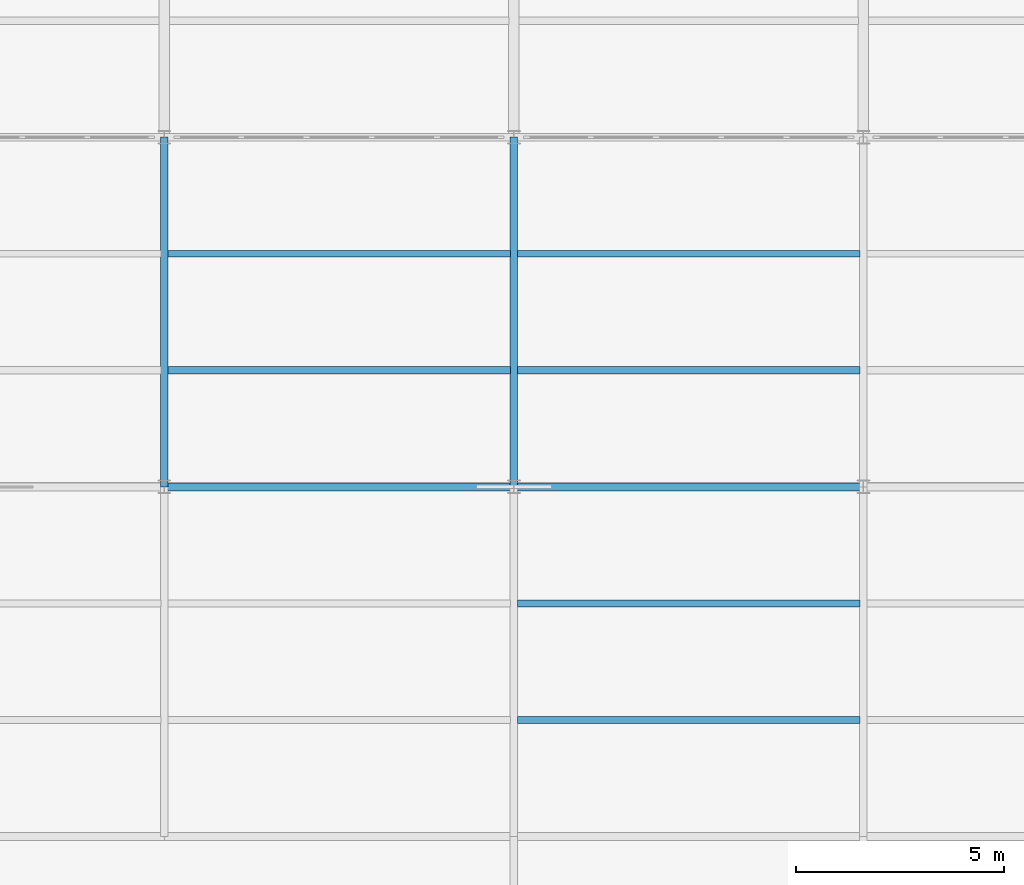
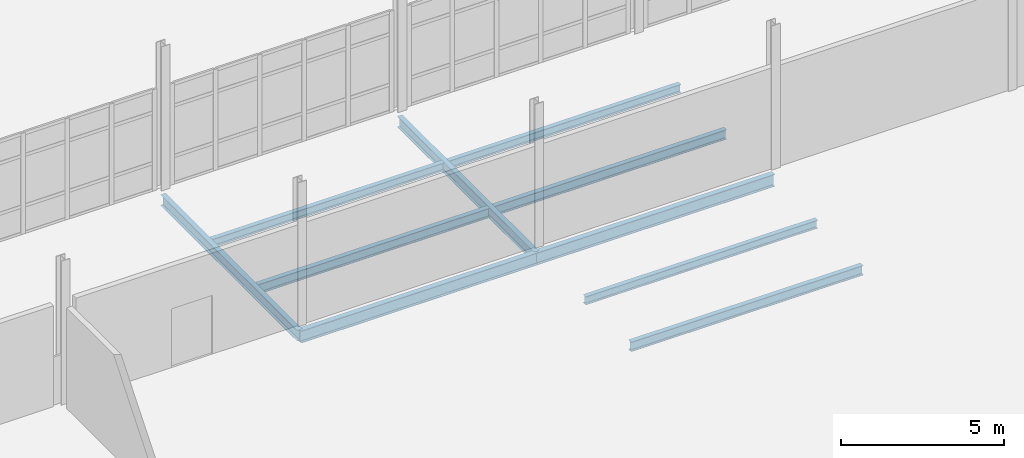
# One storey, part 17 of 33: 10 beams.
"""IFC4 building model written with IfcOpenShell, lengths in metres."""

from ifc_helpers import new_model, si_unit, direction, frame, origin, origin_2d, place, context, subcontext, project, spatial, i_section, extrude, material, material_profile, profile_set, type_object, element, save


model = new_model("IFC4")

# Units and contexts
model_context = context("Model", 3, precision=1e-05, world=origin(), true_north=direction((0.0, 1.0)))
body_context = subcontext(model_context, "Body", "Model", "MODEL_VIEW")
ifc_project = project(units=[si_unit("LENGTHUNIT", "METRE"), si_unit("AREAUNIT", "SQUARE_METRE"), si_unit("VOLUMEUNIT", "CUBIC_METRE"), si_unit("PLANEANGLEUNIT", "RADIAN"), si_unit("MASSUNIT", "GRAM", prefix="KILO"), si_unit("THERMODYNAMICTEMPERATUREUNIT", "KELVIN"), si_unit("POWERUNIT", "WATT")], contexts=[model_context])

# Site, building, storey
site_placement = place(None, origin())
site = spatial("IfcSite", under=ifc_project, at=site_placement, CompositionType="ELEMENT")
building_placement = place(site_placement, origin())
building = spatial("IfcBuilding", under=site, at=building_placement, Name="Tembeka Court Mobility Hub", CompositionType="ELEMENT")
storey_placement = place(building_placement, frame((0.0, 0.0, 23.39990234375)))
storey = spatial("IfcBuildingStorey", under=building, at=storey_placement, Name="L06", CompositionType="ELEMENT", Elevation=23.39990234375)

# Beams
ifc_material = material(Name="Steel S355", Category="steel")
ifc_material_profile_1 = material_profile(ifc_material, i_section(OverallWidth=0.18994140625, OverallDepth=0.45703125, WebThickness=0.009033203125, FlangeThickness=0.014404296875, FilletRadius=0.01025390625, at=origin_2d()), Name="UKB 457x191x74")
ifc_profile_set_1 = profile_set([ifc_material_profile_1], Name="Steel S355")
beam_type_1 = type_object("IfcBeamType", Name="BM-B01", PredefinedType="BEAM", material=ifc_profile_set_1)
beam_1_placement = place(storey_placement, frame((50.39990234375, 72.0, -0.478515625), z_axis=(1.0, 0.0, 0.0), x_axis=(0.0, 1.0, 0.0)))
element("IfcBeam", 1, at=beam_1_placement, inside=storey, type_object=beam_type_1, Name="Beam B01 (BM-L06-X3158)", PredefinedType="BEAM", context=body_context, shape_type="SweptSolid", body=[
    extrude(i_section(OverallWidth=0.18994140625, OverallDepth=0.45703125, WebThickness=0.009033203125, FlangeThickness=0.014404296875, FilletRadius=0.01025390625, at=origin_2d()), origin(), (0.0, 0.0, 1.0), 8.400146484375),
])
beam_2_placement = place(storey_placement, frame((58.800048828125, 72.0, -0.478515625), z_axis=(1.0, 0.0, 0.0), x_axis=(0.0, 1.0, 0.0)))
element("IfcBeam", 2, at=beam_2_placement, inside=storey, type_object=beam_type_1, Name="Beam B01 (BM-L06-X3159)", PredefinedType="BEAM", context=body_context, shape_type="SweptSolid", body=[
    extrude(i_section(OverallWidth=0.18994140625, OverallDepth=0.45703125, WebThickness=0.009033203125, FlangeThickness=0.014404296875, FilletRadius=0.01025390625, at=origin_2d()), origin(), (0.0, 0.0, 1.0), 8.39990234375),
])
ifc_material_profile_2 = material_profile(ifc_material, i_section(OverallWidth=0.177978515625, OverallDepth=0.406005859375, WebThickness=0.0078125, FlangeThickness=0.0126953125, FilletRadius=0.01025390625, at=origin_2d()), Name="UKB 406x178x60")
ifc_profile_set_2 = profile_set([ifc_material_profile_2], Name="Steel S355")
beam_type_2 = type_object("IfcBeamType", Name="BM-B02", PredefinedType="BEAM", material=ifc_profile_set_2)
for number, where, z_axis, x_axis, name in (
    (3, (50.39990234375, 72.0, -0.452880859375), (0.0, 1.0, 0.0), (-1.0, 0.0, 0.0), "Beam B02 (BM-L06-Y3252)"),
    (4, (58.800048828125, 72.0, -0.452880859375), (0.0, 1.0, 0.0), (-1.0, 0.0, 0.0), "Beam B02 (BM-L06-Y3259)"),
):
    element("IfcBeam", number, at=place(storey_placement, frame(where, z_axis=z_axis, x_axis=x_axis)), inside=storey, type_object=beam_type_2, Name=name, PredefinedType="BEAM", context=body_context, shape_type="SweptSolid", body=[
        extrude(i_section(OverallWidth=0.177978515625, OverallDepth=0.406005859375, WebThickness=0.0078125, FlangeThickness=0.0126953125, FilletRadius=0.01025390625, at=origin_2d()), origin(), (0.0, 0.0, 1.0), 8.39990234375),
    ])
ifc_material_profile_3 = material_profile(ifc_material, i_section(OverallWidth=0.1650390625, OverallDepth=0.303955078125, WebThickness=0.006103515625, FlangeThickness=0.01025390625, FilletRadius=0.0087890625, at=origin_2d()), Name="UKB 305x165x40")
ifc_profile_set_3 = profile_set([ifc_material_profile_3], Name="Steel S355")
beam_type_3 = type_object("IfcBeamType", Name="BM-J02", PredefinedType="JOIST", material=ifc_profile_set_3)
beam_3_placement = place(storey_placement, frame((50.48388671875, 77.60009765625, -0.40185546875), z_axis=(1.0, 0.0, 0.0), x_axis=(0.0, 1.0, 0.0)))
element("IfcBeam", 5, at=beam_3_placement, inside=storey, type_object=beam_type_3, Name="Beam J02 (JST-L06-3415)", PredefinedType="JOIST", context=body_context, shape_type="SweptSolid", body=[
    extrude(i_section(OverallWidth=0.1650390625, OverallDepth=0.303955078125, WebThickness=0.006103515625, FlangeThickness=0.01025390625, FilletRadius=0.0087890625, at=origin_2d()), origin(), (0.0, 0.0, 1.0), 8.232177734375),
])
for number, where, z_axis, x_axis, name in (
    (6, (58.884033203125, 69.199951171875, -0.40185546875), (1.0, 0.0, 0.0), (0.0, 1.0, 0.0), "Beam J02 (JST-L06-3433)"),
    (7, (58.884033203125, 77.60009765625, -0.40185546875), (1.0, 0.0, 0.0), (0.0, 1.0, 0.0), "Beam J02 (JST-L06-3435)"),
):
    element("IfcBeam", number, at=place(storey_placement, frame(where, z_axis=z_axis, x_axis=x_axis)), inside=storey, type_object=beam_type_3, Name=name, PredefinedType="JOIST", context=body_context, shape_type="SweptSolid", body=[
        extrude(i_section(OverallWidth=0.1650390625, OverallDepth=0.303955078125, WebThickness=0.006103515625, FlangeThickness=0.01025390625, FilletRadius=0.0087890625, at=origin_2d()), origin(), (0.0, 0.0, 1.0), 8.23193359375),
    ])
ifc_material_profile_4 = material_profile(ifc_material, i_section(OverallWidth=0.169921875, OverallDepth=0.360107421875, WebThickness=0.008056640625, FlangeThickness=0.0126953125, FilletRadius=0.01806640625, at=origin_2d()), Name="IPE 360")
ifc_profile_set_4 = profile_set([ifc_material_profile_4], Name="Steel S355")
beam_type_4 = type_object("IfcBeamType", Name="BM-J03", PredefinedType="JOIST", material=ifc_profile_set_4)
beam_4_placement = place(storey_placement, frame((50.48388671875, 74.800048828125, -0.429931640625), z_axis=(1.0, 0.0, 0.0), x_axis=(0.0, 1.0, 0.0)))
element("IfcBeam", 8, at=beam_4_placement, inside=storey, type_object=beam_type_4, Name="Beam J03 (JST-L06-3414)", PredefinedType="JOIST", context=body_context, shape_type="SweptSolid", body=[
    extrude(i_section(OverallWidth=0.169921875, OverallDepth=0.360107421875, WebThickness=0.008056640625, FlangeThickness=0.0126953125, FilletRadius=0.01806640625, at=origin_2d()), origin(), (0.0, 0.0, 1.0), 8.232177734375),
])
for number, where, z_axis, x_axis, name in (
    (9, (58.884033203125, 66.39990234375, -0.429931640625), (1.0, 0.0, 0.0), (0.0, 1.0, 0.0), "Beam J03 (JST-L06-3432)"),
    (10, (58.884033203125, 74.800048828125, -0.429931640625), (1.0, 0.0, 0.0), (0.0, 1.0, 0.0), "Beam J03 (JST-L06-3434)"),
):
    element("IfcBeam", number, at=place(storey_placement, frame(where, z_axis=z_axis, x_axis=x_axis)), inside=storey, type_object=beam_type_4, Name=name, PredefinedType="JOIST", context=body_context, shape_type="SweptSolid", body=[
        extrude(i_section(OverallWidth=0.169921875, OverallDepth=0.360107421875, WebThickness=0.008056640625, FlangeThickness=0.0126953125, FilletRadius=0.01806640625, at=origin_2d()), origin(), (0.0, 0.0, 1.0), 8.23193359375),
    ])

save(model, "model.ifc")
